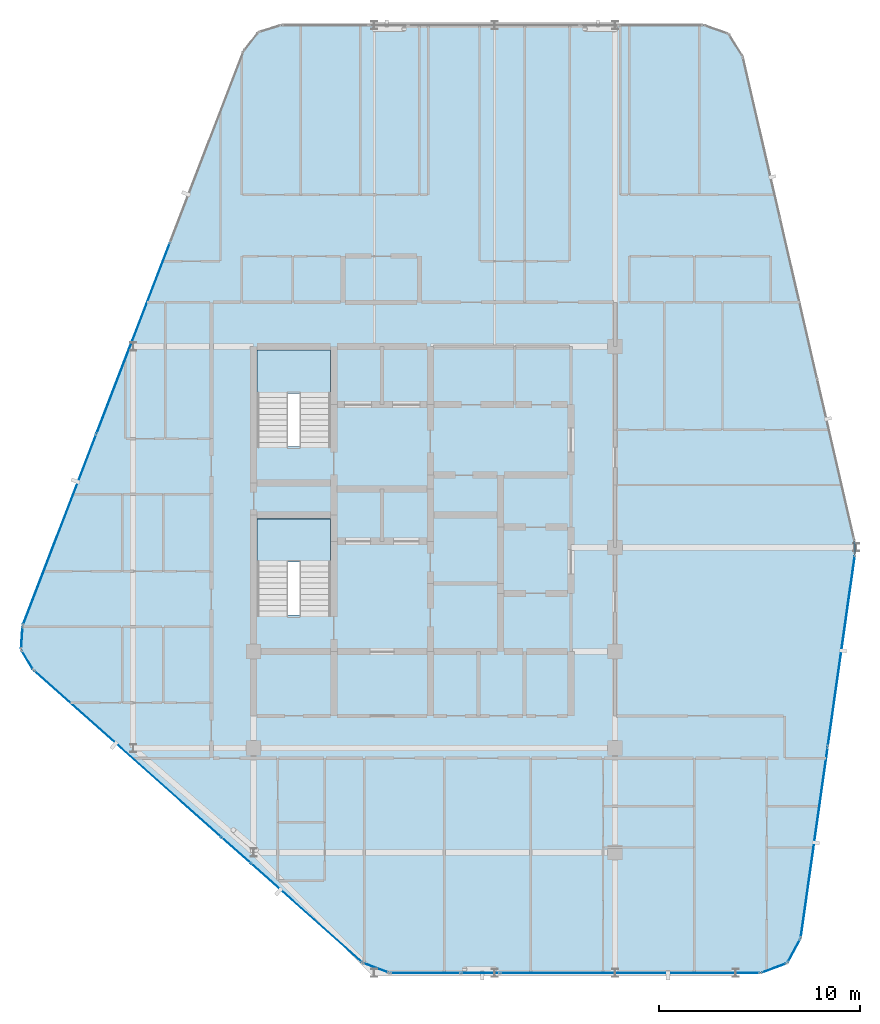
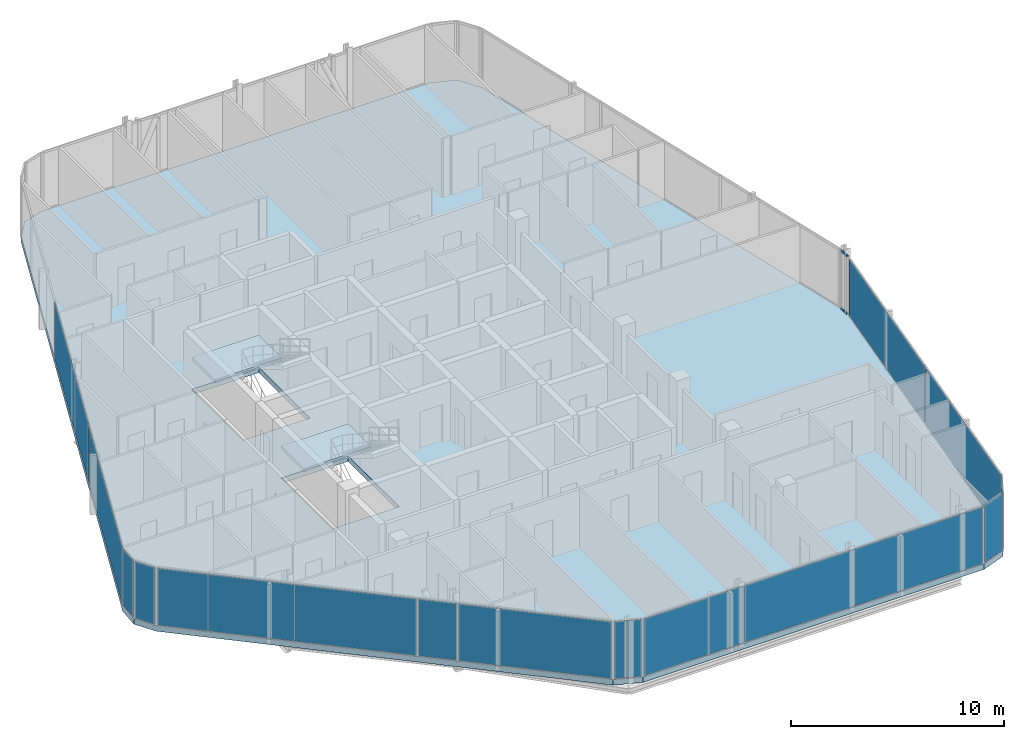
# One storey, part 20 of 27: 15 plates, 3 slabs, 2 members, 16 elements without a shape of their own.
"""IFC4 building model written with IfcOpenShell, lengths in metres."""

from ifc_helpers import new_model, si_unit, direction, frame, origin, origin_2d, place, context, subcontext, project, spatial, polyline, rectangle, hollow_rectangle, outline, extrude, material, layer, layer_set, material_profile, profile_set, type_object, element, aggregate, save


model = new_model("IFC4")

# Units and contexts
model_context = context("Model", 3, precision=1e-05, world=origin(), true_north=direction((0.0, 1.0)))
body_context = subcontext(model_context, "Body", "Model", "MODEL_VIEW")
ifc_project = project(units=[si_unit("LENGTHUNIT", "METRE"), si_unit("AREAUNIT", "SQUARE_METRE"), si_unit("VOLUMEUNIT", "CUBIC_METRE"), si_unit("PLANEANGLEUNIT", "RADIAN"), si_unit("MASSUNIT", "GRAM", prefix="KILO")], contexts=[model_context])

# Site, building, storey
site_placement = place(None, origin())
site = spatial("IfcSite", under=ifc_project, at=site_placement, CompositionType="ELEMENT")
building_placement = place(site_placement, origin())
building = spatial("IfcBuilding", under=site, at=building_placement, Name="Keshet Zoharim Tower", CompositionType="ELEMENT")
storey_placement = place(building_placement, frame((0.0, 0.0, 273.199951171875)))
storey = spatial("IfcBuildingStorey", under=building, at=storey_placement, Name="L68", CompositionType="ELEMENT", Elevation=273.199951171875)

# Curtain wall, members
ifc_material_1 = material(Name="Aluminium 6063-T6", Category="aluminium")
ifc_layer_1 = layer(ifc_material_1, 0.260009765625)
ifc_layer_set_1 = layer_set([ifc_layer_1], Name="Aluminium 6063-T6")
curtain_wall_type = type_object("IfcCurtainWallType", Name="CW-SYS-06", PredefinedType="NOTDEFINED", material=ifc_layer_set_1)
curtain_wall_1_placement = place(storey_placement, origin())
curtain_wall_1 = element("IfcCurtainWall", 1, at=curtain_wall_1_placement, inside=storey, type_object=curtain_wall_type, Name="L68 Unitised Curtain Wall 10", PredefinedType="NOTDEFINED")
ifc_material_profile = material_profile(ifc_material_1, hollow_rectangle(XDim=0.074951171875, YDim=0.1201171875, WallThickness=0.00390625, at=origin_2d()), Name="TRN-75x120")
ifc_profile_set = profile_set([ifc_material_profile], Name="Aluminium 6063-T6")
member_type = type_object("IfcMemberType", Name="CWT-T12", PredefinedType="USERDEFINED", material=ifc_profile_set)
member_1_placement = place(storey_placement, frame((44.9189453125, 28.192138671875, 0.03515625), z_axis=(0.043813905352, -0.99903970977, 0.0), x_axis=(0.99903970977, 0.043813905352, 0.0)))
member_1 = element("IfcMember", 2, at=member_1_placement, type_object=member_type, Name="CW-06 transom 1.1", ObjectType="TRANSOM", PredefinedType="USERDEFINED", context=body_context, shape_type="SweptSolid", body=[
    extrude(hollow_rectangle(XDim=0.074951171875, YDim=0.1201171875, WallThickness=0.00390625, at=origin_2d()), origin(), (0.0, 0.0, 1.0), 0.590576171875),
])
member_2_placement = place(storey_placement, frame((44.9189453125, 28.192138671875, 3.35498046875), z_axis=(0.043813905352, -0.99903970977, 0.0), x_axis=(0.99903970977, 0.043813905352, 0.0)))
member_2 = element("IfcMember", 3, at=member_2_placement, type_object=member_type, Name="CW-06 transom 1.2", ObjectType="TRANSOM", PredefinedType="USERDEFINED", context=body_context, shape_type="SweptSolid", body=[
    extrude(hollow_rectangle(XDim=0.074951171875, YDim=0.1201171875, WallThickness=0.00390625, at=origin_2d()), origin(), (0.0, 0.0, 1.0), 0.590576171875),
])
aggregate(curtain_wall_1, [member_1, member_2])

# Curtain wall, plate
curtain_wall_2_placement = place(storey_placement, origin())
curtain_wall_2 = element("IfcCurtainWall", 4, at=curtain_wall_2_placement, inside=storey, type_object=curtain_wall_type, Name="L68 Unitised Curtain Wall 01", PredefinedType="NOTDEFINED")
ifc_material_2 = material(Name="Insulated Low-E Clear Glass", Category="glass")
ifc_layer_2 = layer(ifc_material_2, 0.028076171875)
ifc_layer_set_2 = layer_set([ifc_layer_2], Name="Insulated Low-E Clear Glass")
plate_type_1 = type_object("IfcPlateType", Name="CWP-03", PredefinedType="CURTAIN_PANEL", material=ifc_layer_set_2)
plate_1_placement = place(storey_placement, frame((3.7275390625, 22.291015625, 0.070068359375), z_axis=(0.0, 0.0, 1.0), x_axis=(-0.515604947933, 0.856826433805, 0.0)))
plate_1 = element("IfcPlate", 5, at=plate_1_placement, type_object=plate_type_1, Name="CW-06 panel 1.1", PredefinedType="CURTAIN_PANEL", context=body_context, shape_type="SweptSolid", body=[
    extrude(rectangle(XDim=1.052734375, YDim=0.028076171875, at=origin_2d()), origin(), (0.0, 0.0, 1.0), 3.25),
])
aggregate(curtain_wall_2, [plate_1])

curtain_wall_3_placement = place(storey_placement, origin())
curtain_wall_3 = element("IfcCurtainWall", 6, at=curtain_wall_3_placement, inside=storey, type_object=curtain_wall_type, Name="L68 Unitised Curtain Wall 02", PredefinedType="NOTDEFINED")
plate_2_placement = place(storey_placement, frame((3.45849609375, 23.3974609375, 0.070068359375), z_axis=(0.0, 0.0, 1.0), x_axis=(0.064516859374, 0.997916617186, 0.0)))
plate_2 = element("IfcPlate", 7, at=plate_2_placement, type_object=plate_type_1, Name="CW-06 panel 1.1", PredefinedType="CURTAIN_PANEL", context=body_context, shape_type="SweptSolid", body=[
    extrude(rectangle(XDim=1.053466796875, YDim=0.028076171875, at=origin_2d()), origin(), (0.0, 0.0, 1.0), 3.25),
])
aggregate(curtain_wall_3, [plate_2])

# Curtain wall, plates
curtain_wall_4_placement = place(storey_placement, origin())
curtain_wall_4 = element("IfcCurtainWall", 8, at=curtain_wall_4_placement, inside=storey, type_object=curtain_wall_type, Name="L68 Unitised Curtain Wall 03", PredefinedType="NOTDEFINED")
plate_3_placement = place(storey_placement, frame((5.33837890625, 28.7802734375, 0.070068359375), z_axis=(0.0, 0.0, 1.0), x_axis=(0.358990003907, 0.933341404361, 0.0)))
plate_3 = element("IfcPlate", 9, at=plate_3_placement, type_object=plate_type_1, Name="CW-06 panel 1.1", PredefinedType="CURTAIN_PANEL", context=body_context, shape_type="SweptSolid", body=[
    extrude(rectangle(XDim=10.1181640625, YDim=0.028076171875, at=origin_2d()), origin(), (0.0, 0.0, 1.0), 3.25),
])
plate_4_placement = place(storey_placement, frame((9.001953125, 38.305419921875, 0.070068359375), z_axis=(0.0, 0.0, 1.0), x_axis=(0.358990003907, 0.933341404361, 0.0)))
plate_4 = element("IfcPlate", 10, at=plate_4_placement, type_object=plate_type_1, Name="CW-06 panel 2.1", PredefinedType="CURTAIN_PANEL", context=body_context, shape_type="SweptSolid", body=[
    extrude(rectangle(XDim=10.153076171875, YDim=0.028076171875, at=origin_2d()), origin(), (0.0, 0.0, 1.0), 3.25),
])
aggregate(curtain_wall_4, [plate_3, plate_4])

curtain_wall_5_placement = place(storey_placement, origin())
curtain_wall_5 = element("IfcCurtainWall", 11, at=curtain_wall_5_placement, inside=storey, type_object=curtain_wall_type, Name="L68 Unitised Curtain Wall 11", PredefinedType="NOTDEFINED")
plate_5_placement = place(storey_placement, frame((44.269287109375, 22.736572265625, 0.070068359375), z_axis=(0.0, 0.0, 1.0), x_axis=(-0.140137464177, -0.990132057422, 0.0)))
plate_5 = element("IfcPlate", 12, at=plate_5_placement, type_object=plate_type_1, Name="CW-06 panel 1.1", PredefinedType="CURTAIN_PANEL", context=body_context, shape_type="SweptSolid", body=[
    extrude(rectangle(XDim=9.546142578125, YDim=0.028076171875, at=origin_2d()), origin(), (0.0, 0.0, 1.0), 3.25),
])
plate_6_placement = place(storey_placement, frame((42.921630859375, 13.21533203125, 0.070068359375), z_axis=(0.0, 0.0, 1.0), x_axis=(-0.140137464177, -0.990132057422, 0.0)))
plate_6 = element("IfcPlate", 13, at=plate_6_placement, type_object=plate_type_1, Name="CW-06 panel 2.1", PredefinedType="CURTAIN_PANEL", context=body_context, shape_type="SweptSolid", body=[
    extrude(rectangle(XDim=9.546142578125, YDim=0.028076171875, at=origin_2d()), origin(), (0.0, 0.0, 1.0), 3.25),
])
aggregate(curtain_wall_5, [plate_5, plate_6])

# Curtain wall, plate
curtain_wall_6_placement = place(storey_placement, origin())
curtain_wall_6 = element("IfcCurtainWall", 14, at=curtain_wall_6_placement, inside=storey, type_object=curtain_wall_type, Name="L68 Unitised Curtain Wall 12", PredefinedType="NOTDEFINED")
plate_7_placement = place(storey_placement, frame((41.908447265625, 7.804931640625, 0.070068359375), z_axis=(0.0, 0.0, 1.0), x_axis=(-0.477800955789, -0.878468125004, 0.0)))
plate_7 = element("IfcPlate", 15, at=plate_7_placement, type_object=plate_type_1, Name="CW-06 panel 1.1", PredefinedType="CURTAIN_PANEL", context=body_context, shape_type="SweptSolid", body=[
    extrude(rectangle(XDim=1.26025390625, YDim=0.028076171875, at=origin_2d()), origin(), (0.0, 0.0, 1.0), 3.25),
])
aggregate(curtain_wall_6, [plate_7])

curtain_wall_7_placement = place(storey_placement, origin())
curtain_wall_7 = element("IfcCurtainWall", 16, at=curtain_wall_7_placement, inside=storey, type_object=curtain_wall_type, Name="L68 Unitised Curtain Wall 13", PredefinedType="NOTDEFINED")
plate_8_placement = place(storey_placement, frame((40.91845703125, 6.945068359375, 0.070068359375), z_axis=(0.0, 0.0, 1.0), x_axis=(-0.936710343781, -0.350105315376, 0.0)))
plate_8 = element("IfcPlate", 17, at=plate_8_placement, type_object=plate_type_1, Name="CW-06 panel 1.1", PredefinedType="CURTAIN_PANEL", context=body_context, shape_type="SweptSolid", body=[
    extrude(rectangle(XDim=1.259521484375, YDim=0.028076171875, at=origin_2d()), origin(), (0.0, 0.0, 1.0), 3.25),
])
aggregate(curtain_wall_7, [plate_8])

curtain_wall_8_placement = place(storey_placement, origin())
curtain_wall_8 = element("IfcCurtainWall", 18, at=curtain_wall_8_placement, inside=storey, type_object=curtain_wall_type, Name="L68 Unitised Curtain Wall 14", PredefinedType="NOTDEFINED")
plate_9_placement = place(storey_placement, frame((33.743896484375, 6.699951171875, 0.070068359375), z_axis=(0.0, 0.0, 1.0), x_axis=(-1.0, 0.0, 0.0)))
plate_9 = element("IfcPlate", 19, at=plate_9_placement, type_object=plate_type_1, Name="CW-06 panel 1.1", PredefinedType="CURTAIN_PANEL", context=body_context, shape_type="SweptSolid", body=[
    extrude(rectangle(XDim=12.898193359375, YDim=0.028076171875, at=origin_2d()), origin(), (0.0, 0.0, 1.0), 3.25),
])
aggregate(curtain_wall_8, [plate_9])

curtain_wall_9_placement = place(storey_placement, origin())
curtain_wall_9 = element("IfcCurtainWall", 20, at=curtain_wall_9_placement, inside=storey, type_object=curtain_wall_type, Name="L68 Unitised Curtain Wall 14 Part 3", PredefinedType="NOTDEFINED")
plate_10_placement = place(storey_placement, frame((23.552490234375, 6.699951171875, 0.070068359375), z_axis=(0.0, 0.0, 1.0), x_axis=(-1.0, 0.0, 0.0)))
plate_10 = element("IfcPlate", 21, at=plate_10_placement, type_object=plate_type_1, Name="CW-06 panel 1.1", PredefinedType="CURTAIN_PANEL", context=body_context, shape_type="SweptSolid", body=[
    extrude(rectangle(XDim=3.4453125, YDim=0.028076171875, at=origin_2d()), origin(), (0.0, 0.0, 1.0), 3.25),
])
aggregate(curtain_wall_9, [plate_10])

curtain_wall_10_placement = place(storey_placement, origin())
curtain_wall_10 = element("IfcCurtainWall", 22, at=curtain_wall_10_placement, inside=storey, type_object=curtain_wall_type, Name="L68 Unitised Curtain Wall 15", PredefinedType="NOTDEFINED")
plate_11_placement = place(storey_placement, frame((21.095947265625, 6.952392578125, 0.070068359375), z_axis=(0.0, 0.0, 1.0), x_axis=(-0.934699418314, 0.355439161326, 0.0)))
plate_11 = element("IfcPlate", 23, at=plate_11_placement, type_object=plate_type_1, Name="CW-06 panel 1.1", PredefinedType="CURTAIN_PANEL", context=body_context, shape_type="SweptSolid", body=[
    extrude(rectangle(XDim=1.28076171875, YDim=0.028076171875, at=origin_2d()), origin(), (0.0, 0.0, 1.0), 3.25),
])
aggregate(curtain_wall_10, [plate_11])

curtain_wall_11_placement = place(storey_placement, origin())
curtain_wall_11 = element("IfcCurtainWall", 24, at=curtain_wall_11_placement, inside=storey, type_object=curtain_wall_type, Name="L68 Unitised Curtain Wall 16", PredefinedType="NOTDEFINED")
plate_12_placement = place(storey_placement, frame((17.634521484375, 9.691650390625, 0.070068359375), z_axis=(0.0, 0.0, 1.0), x_axis=(-0.747410792699, 0.664362180559, 0.0)))
plate_12 = element("IfcPlate", 25, at=plate_12_placement, type_object=plate_type_1, Name="CW-06 panel 1.1", PredefinedType="CURTAIN_PANEL", context=body_context, shape_type="SweptSolid", body=[
    extrude(rectangle(XDim=7.345947265625, YDim=0.028076171875, at=origin_2d()), origin(), (0.0, 0.0, 1.0), 3.25),
])
aggregate(curtain_wall_11, [plate_12])

curtain_wall_12_placement = place(storey_placement, origin())
curtain_wall_12 = element("IfcCurtainWall", 26, at=curtain_wall_12_placement, inside=storey, type_object=curtain_wall_type, Name="L68 Unitised Curtain Wall 16 Part 3", PredefinedType="NOTDEFINED")
plate_13_placement = place(storey_placement, frame((8.7333984375, 17.603515625, 0.070068359375), z_axis=(0.0, 0.0, 1.0), x_axis=(-0.747409318679, 0.664363838836, 0.0)))
plate_13 = element("IfcPlate", 27, at=plate_13_placement, type_object=plate_type_1, Name="CW-06 panel 1.1", PredefinedType="CURTAIN_PANEL", context=body_context, shape_type="SweptSolid", body=[
    extrude(rectangle(XDim=12.432861328125, YDim=0.028076171875, at=origin_2d()), origin(), (0.0, 0.0, 1.0), 3.25),
])
aggregate(curtain_wall_12, [plate_13])

curtain_wall_13_placement = place(storey_placement, origin())
curtain_wall_13 = element("IfcCurtainWall", 28, at=curtain_wall_13_placement, inside=storey, type_object=curtain_wall_type, Name="L68 Unitised Curtain Wall 14 Part 2", PredefinedType="NOTDEFINED")
ifc_material_3 = material(Name="Insulated Aluminium Spandrel Panel", Category="aluminium")
ifc_layer_3 = layer(ifc_material_3, 0.028076171875)
ifc_layer_set_3 = layer_set([ifc_layer_3], Name="Insulated Aluminium Spandrel Panel")
plate_type_2 = type_object("IfcPlateType", Name="CWP-06", PredefinedType="CURTAIN_PANEL", material=ifc_layer_set_3)
plate_14_placement = place(storey_placement, frame((26.284912109375, 6.699951171875, 0.070068359375), z_axis=(0.0, 0.0, 1.0), x_axis=(-1.0, 0.0, 0.0)))
plate_14 = element("IfcPlate", 29, at=plate_14_placement, type_object=plate_type_2, Name="CW-06 spandrel panel 1.1", PredefinedType="CURTAIN_PANEL", context=body_context, shape_type="SweptSolid", body=[
    extrude(rectangle(XDim=1.879638671875, YDim=0.028076171875, at=origin_2d()), origin(), (0.0, 0.0, 1.0), 3.25),
])
aggregate(curtain_wall_13, [plate_14])

curtain_wall_14_placement = place(storey_placement, origin())
curtain_wall_14 = element("IfcCurtainWall", 30, at=curtain_wall_14_placement, inside=storey, type_object=curtain_wall_type, Name="L68 Unitised Curtain Wall 16 Part 2", PredefinedType="NOTDEFINED")
plate_15_placement = place(storey_placement, frame((14.134521484375, 12.802734375, 0.070068359375), z_axis=(0.0, 0.0, 1.0), x_axis=(-0.747431957629, 0.664338369143, 0.0)))
plate_15 = element("IfcPlate", 31, at=plate_15_placement, type_object=plate_type_2, Name="CW-06 spandrel panel 1.1", PredefinedType="CURTAIN_PANEL", context=body_context, shape_type="SweptSolid", body=[
    extrude(rectangle(XDim=1.879638671875, YDim=0.028076171875, at=origin_2d()), origin(), (0.0, 0.0, 1.0), 3.25),
])
aggregate(curtain_wall_14, [plate_15])

# Stair, slab
ifc_material_4 = material(Name="Concrete C50/60", Category="concrete")
stair_type = type_object("IfcStairType", Name="STR-EXIT-135", PredefinedType="HALF_TURN_STAIR", material=ifc_material_4)
stair_1_placement = place(storey_placement, origin())
stair_1 = element("IfcStair", 32, at=stair_1_placement, inside=storey, type_object=stair_type, Name="L68 Enclosed Exit Stair ST-01", PredefinedType="HALF_TURN_STAIR")
ifc_layer_4 = layer(ifc_material_4, 0.199951171875)
ifc_layer_set_4 = layer_set([ifc_layer_4], Name="Concrete C50/60")
slab_type_1 = type_object("IfcSlabType", Name="SLB-LND-200", PredefinedType="LANDING", material=ifc_layer_set_4)
slab_1_placement = place(storey_placement, frame((0.0, 0.0, 1.650146484375)))
slab_1 = element("IfcSlab", 33, at=slab_1_placement, type_object=slab_type_1, Name="ST-01 landing 1", PredefinedType="LANDING", context=body_context, shape_type="SweptSolid", body=[
    extrude(outline(polyline([(15.179931640625, 27.159912109375), (18.820068359375, 27.159912109375), (18.820068359375, 29.320068359375), (15.179931640625, 29.320068359375), (15.179931640625, 27.159912109375)])), origin(), (0.0, 0.0, 1.0), 0.199951171875),
])
aggregate(stair_1, [slab_1])

stair_2_placement = place(storey_placement, origin())
stair_2 = element("IfcStair", 34, at=stair_2_placement, inside=storey, type_object=stair_type, Name="L68 Enclosed Exit Stair ST-02", PredefinedType="HALF_TURN_STAIR")
slab_2_placement = place(storey_placement, frame((0.0, 0.0, 1.650146484375)))
slab_2 = element("IfcSlab", 35, at=slab_2_placement, type_object=slab_type_1, Name="ST-02 landing 1", PredefinedType="LANDING", context=body_context, shape_type="SweptSolid", body=[
    extrude(outline(polyline([(15.179931640625, 35.56005859375), (18.820068359375, 35.56005859375), (18.820068359375, 37.719970703125), (15.179931640625, 37.719970703125), (15.179931640625, 35.56005859375)])), origin(), (0.0, 0.0, 1.0), 0.199951171875),
])
aggregate(stair_2, [slab_2])

# Slab
ifc_layer_5 = layer(ifc_material_4, 0.31005859375)
ifc_layer_set_5 = layer_set([ifc_layer_5], Name="Concrete C50/60")
slab_type_2 = type_object("IfcSlabType", Name="SLB-UPP-240", PredefinedType="FLOOR", material=ifc_layer_set_5)
slab_3_placement = place(storey_placement, frame((0.0, 0.0, -0.31005859375)))
element("IfcSlab", 36, at=slab_3_placement, inside=storey, type_object=slab_type_2, Name="L68 Structural Floor Slab 1", PredefinedType="FLOOR", context=body_context, shape_type="SweptSolid", body=[
    extrude(outline(polyline([(4.034912109375, 21.780029296875), (3.419921875, 22.802001953125), (3.4970703125, 23.992919921875), (14.507080078125, 52.617919921875), (15.240966796875, 53.549072265625), (16.3740234375, 53.89990234375), (37.408935546875, 53.89990234375), (38.654052734375, 53.465087890625), (39.35791015625, 52.35009765625), (44.916015625, 28.261962890625), (44.947998046875, 27.531982421875), (42.242919921875, 8.419921875), (41.573974609375, 7.18994140625), (40.262939453125, 6.699951171875), (21.760009765625, 6.699951171875), (20.431884765625, 7.205078125), (4.034912109375, 21.780029296875)]), holes=[polyline([(15.179931640625, 24.52001953125), (18.820068359375, 24.52001953125), (18.820068359375, 29.320068359375), (15.179931640625, 29.320068359375), (15.179931640625, 24.52001953125)]), polyline([(15.179931640625, 32.919921875), (18.820068359375, 32.919921875), (18.820068359375, 37.719970703125), (15.179931640625, 37.719970703125), (15.179931640625, 32.919921875)])]), origin(), (0.0, 0.0, 1.0), 0.31005859375),
])

save(model, "model.ifc")
